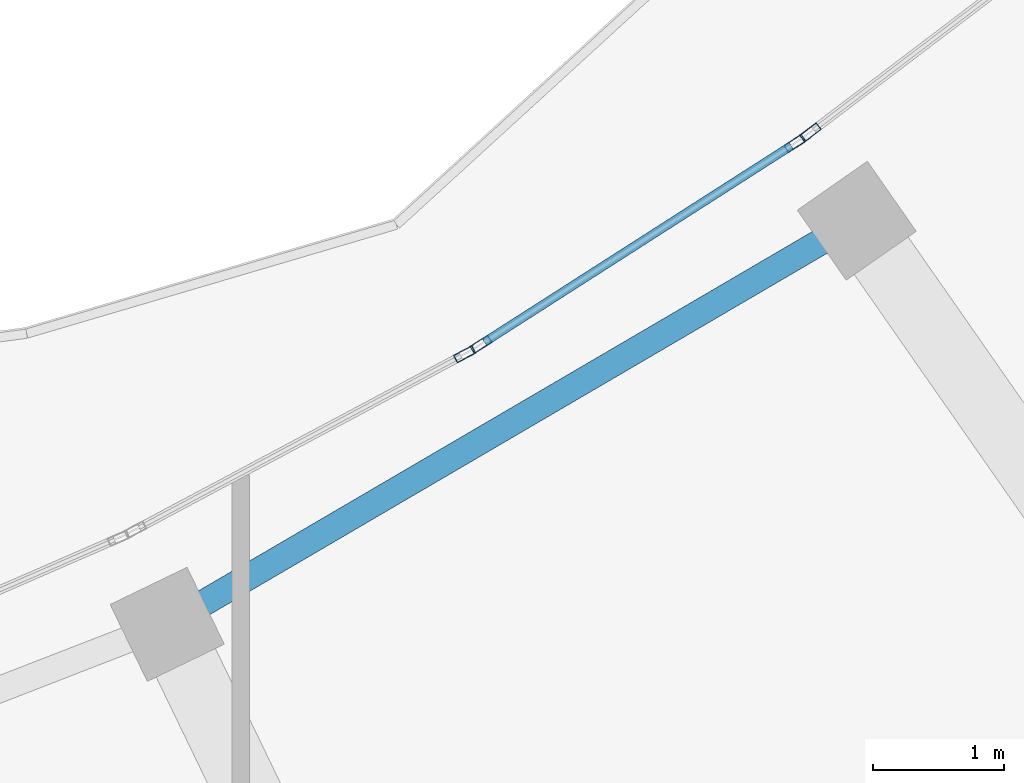
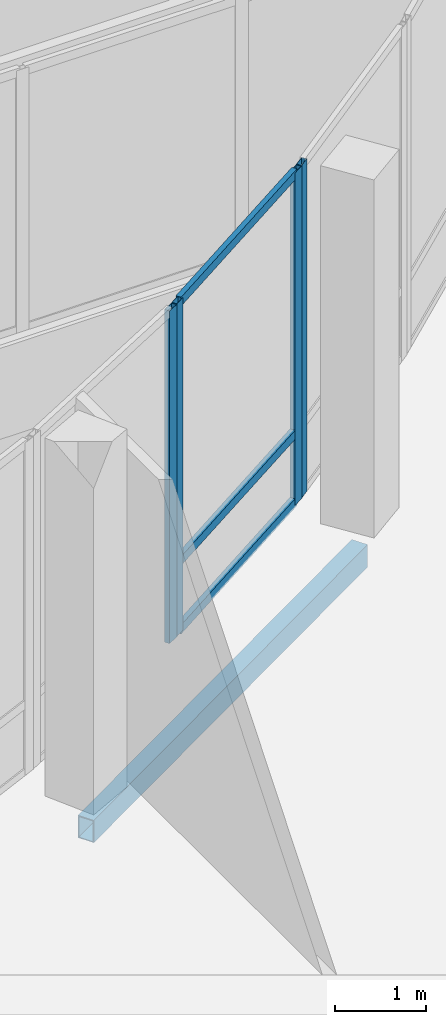
# One storey, part 36 of 155: 7 members, 1 beam, 3 elements without a shape of their own.
"""IFC4 building model written with IfcOpenShell, lengths in metres."""

import ifcopenshell
import ifcopenshell.guid

model = None  # the IFC model being written
_history = None  # IfcOwnerHistory: only IFC2X3 demands one
_inside = {}  # id of a spatial element -> (the spatial element, [elements in it])
_under = {}  # id of a project, library or spatial element -> (it, [spatial elements below it])
_declared = {}  # id of a project -> (the project, [libraries it declares])
_typed = {}  # id of a type object -> (the type object, [elements of that type])
_made_of = {}  # id of a material, layer set ... -> (it, [elements and type objects made of it])


def new_model(schema):
    """Start an empty IFC model of exactly this schema.

    Asked for "IFC4X3", IfcOpenShell would pick the latest addendum, in which some entities
    have other attributes; the version numbers below select the first issue.
    IFC2X3 requires an IfcOwnerHistory on every rooted entity: one is made here for all.
    """
    global model, _history
    if schema == "IFC4X3":
        model = ifcopenshell.file(schema_version=(4, 3, 0, 0))
    else:
        model = ifcopenshell.file(schema=schema)
    _inside.clear()
    _under.clear()
    _declared.clear()
    _typed.clear()
    _made_of.clear()
    _history = None
    if model.schema == "IFC2X3":
        org = make("IfcOrganization", Name="unknown")
        user = make(
            "IfcPersonAndOrganization",
            ThePerson=make("IfcPerson", FamilyName="unknown"),
            TheOrganization=org,
        )
        app = make(
            "IfcApplication",
            ApplicationDeveloper=org,
            Version="unknown",
            ApplicationFullName="unknown",
            ApplicationIdentifier="unknown",
        )
        _history = make(
            "IfcOwnerHistory",
            OwningUser=user,
            OwningApplication=app,
            ChangeAction="ADDED",
            CreationDate=0,
        )
    return model


def make(cls, **values):
    """One entity of the class cls with the attributes given. An attribute that is None is left unset."""
    return model.create_entity(
        cls, **{name: value for name, value in values.items() if value is not None}
    )


def rooted(cls, **values):
    """An entity with a GlobalId (a new one), such as an element, a storey or a relation."""
    return make(cls, GlobalId=ifcopenshell.guid.new(), OwnerHistory=_history, **values)


def si_unit(unit_type, name, prefix=None):
    """IfcSIUnit, for example si_unit("LENGTHUNIT", "METRE", prefix="MILLI")."""
    return make("IfcSIUnit", UnitType=unit_type, Prefix=prefix, Name=name)


def assignment(units):
    """IfcUnitAssignment: the units of a project."""
    return None if units is None else make("IfcUnitAssignment", Units=units)


def point(xyz):
    """IfcCartesianPoint."""
    return None if xyz is None else make("IfcCartesianPoint", Coordinates=xyz)


def direction(xyz):
    """IfcDirection."""
    return None if xyz is None else make("IfcDirection", DirectionRatios=xyz)


def frame(location, z_axis=None, x_axis=None):
    """IfcAxis2Placement3D, a coordinate frame: its origin and axes. An axis left out is left unset."""
    return make(
        "IfcAxis2Placement3D",
        Location=point(location),
        Axis=direction(z_axis),
        RefDirection=direction(x_axis),
    )


def frame_2d(location, x_axis=None):
    """IfcAxis2Placement2D, a coordinate frame in the plane: its origin and x axis."""
    return make(
        "IfcAxis2Placement2D", Location=point(location), RefDirection=direction(x_axis)
    )


def origin():
    """The frame at (0, 0, 0) with its axes left unset."""
    return frame((0.0, 0.0, 0.0))


def origin_2d():
    """The frame at (0, 0) in the plane with its x axis left unset."""
    return frame_2d((0.0, 0.0))


def place(relative_to, where):
    """IfcLocalPlacement: puts the frame where relative to a parent placement (None: the world)."""
    return make(
        "IfcLocalPlacement", PlacementRelTo=relative_to, RelativePlacement=where
    )


def context(
    kind, dimensions, precision=None, world=None, true_north=None, identifier=None
):
    """IfcGeometricRepresentationContext, for example the 3D "Model" context."""
    return make(
        "IfcGeometricRepresentationContext",
        ContextIdentifier=identifier,
        ContextType=kind,
        CoordinateSpaceDimension=dimensions,
        Precision=precision,
        WorldCoordinateSystem=world,
        TrueNorth=true_north,
    )


def subcontext(parent, identifier, kind, view, scale=None):
    """IfcGeometricRepresentationSubContext, for example "Body" below "Model"."""
    return make(
        "IfcGeometricRepresentationSubContext",
        ContextIdentifier=identifier,
        ContextType=kind,
        ParentContext=parent,
        TargetScale=scale,
        TargetView=view,
    )


def project(units=None, contexts=None):
    """IfcProject with its units and contexts."""
    return rooted(
        "IfcProject",
        Name="project",
        RepresentationContexts=contexts,
        UnitsInContext=assignment(units),
    )


def spatial(cls, under=None, at=None, **own):
    """A site, building, storey or space (cls), placed at a placement, below another one or the project."""
    s = rooted(cls, ObjectPlacement=at, **own)
    if under is not None:
        _under.setdefault(under.id(), (under, []))[1].append(s)
    return s


def profile(cls, at=None, kind="AREA", **sizes):
    """A parametric profile (cls). Its sizes go by their IFC names, for example OverallWidth=200.0."""
    return make(cls, ProfileType=kind, Position=at, **sizes)


def hollow_rectangle(**sizes):
    """IfcRectangleHollowProfileDef."""
    return profile("IfcRectangleHollowProfileDef", **sizes)


def extrude(swept, where, along, depth):
    """IfcExtrudedAreaSolid: the profile swept, set in the frame where, extruded along a direction by depth."""
    return make(
        "IfcExtrudedAreaSolid",
        SweptArea=swept,
        Position=where,
        ExtrudedDirection=direction(along),
        Depth=depth,
    )


def shape(context_of_items, identifier, shape_type, items):
    """IfcShapeRepresentation: the items that make up one representation, for example the "Body"."""
    return make(
        "IfcShapeRepresentation",
        ContextOfItems=context_of_items,
        RepresentationIdentifier=identifier,
        RepresentationType=shape_type,
        Items=items,
    )


def material(Name=None, Category=None):
    """IfcMaterial."""
    return make("IfcMaterial", Name=Name, Category=Category)


def material_profile(
    of_material, cross_section, Name=None, Category=None, Priority=None
):
    """IfcMaterialProfile: a cross section and its material."""
    return make(
        "IfcMaterialProfile",
        Name=Name,
        Material=of_material,
        Profile=cross_section,
        Priority=Priority,
        Category=Category,
    )


def profile_set(profiles, Name=None, composite=None):
    """IfcMaterialProfileSet."""
    return make(
        "IfcMaterialProfileSet",
        Name=Name,
        MaterialProfiles=profiles,
        CompositeProfile=composite,
    )


def made_of(thing, what):
    """Note that an element or type object is made of a material, layer set ...; save() writes the relation."""
    if what is not None:
        _made_of.setdefault(what.id(), (what, []))[1].append(thing)
    return thing


def type_object(cls, material=None, **own):
    """A type object (cls), such as IfcWallType, which elements share."""
    return made_of(rooted(cls, **own), material)


def element(
    cls,
    number,
    at=None,
    inside=None,
    cuts=None,
    type_object=None,
    material=None,
    context=None,
    identifier="Body",
    shape_type=None,
    held_by="IfcProductDefinitionShape",
    body=None,
    shapes=None,
    **own,
):
    """One element of the class cls, such as IfcWall. Its Tag is "e" and its number.

    at: its placement. inside: the storey or other place that contains it. cuts: it is an
    opening in that element (IfcRelVoidsElement). A single representation is given by context,
    identifier, shape_type and body (its items); several are given by shapes. held_by: the class
    of the entity that holds the representations. save() writes the other relations.
    """
    e = rooted(cls, Tag="e%d" % number, ObjectPlacement=at, **own)
    if body is not None:
        shapes = [shape(context, identifier, shape_type, body)]
    if shapes is not None:
        e.Representation = make(held_by, Representations=shapes)
    if inside is not None:
        _inside.setdefault(inside.id(), (inside, []))[1].append(e)
    if cuts is not None:
        rooted(
            "IfcRelVoidsElement", RelatingBuildingElement=cuts, RelatedOpeningElement=e
        )
    if type_object is not None:
        _typed.setdefault(type_object.id(), (type_object, []))[1].append(e)
    return made_of(e, material)


def aggregate(whole, parts):
    """IfcRelAggregates: a whole, such as a stair, and the parts it consists of."""
    return rooted("IfcRelAggregates", RelatingObject=whole, RelatedObjects=parts)


def save(model, path):
    """Write the relations noted so far, then the file.

    IfcRelAggregates (storeys below a building ...), IfcRelContainedInSpatialStructure (elements
    in a storey), IfcRelDefinesByType, IfcRelAssociatesMaterial and IfcRelDeclares: one each for
    every whole, place, type object, material and project.
    """
    for whole, parts in _under.values():
        aggregate(whole, parts)
    for where, things in _inside.values():
        rooted(
            "IfcRelContainedInSpatialStructure",
            RelatedElements=things,
            RelatingStructure=where,
        )
    for kind, things in _typed.values():
        rooted("IfcRelDefinesByType", RelatedObjects=things, RelatingType=kind)
    for what, things in _made_of.values():
        rooted("IfcRelAssociatesMaterial", RelatedObjects=things, RelatingMaterial=what)
    for by, libraries in _declared.values():
        rooted("IfcRelDeclares", RelatingContext=by, RelatedDefinitions=libraries)
    model.write(path)


model = new_model("IFC4")

# Units and contexts
model_context = context("Model", 3, precision=1e-05, world=origin(), true_north=direction((0.0, 1.0)))
body_context = subcontext(model_context, "Body", "Model", "MODEL_VIEW")
ifc_project = project(units=[si_unit("LENGTHUNIT", "METRE"), si_unit("AREAUNIT", "SQUARE_METRE"), si_unit("VOLUMEUNIT", "CUBIC_METRE"), si_unit("PLANEANGLEUNIT", "RADIAN"), si_unit("MASSUNIT", "GRAM", prefix="KILO")], contexts=[model_context])

# Site, building, storey
site_placement = place(None, origin())
site = spatial("IfcSite", under=ifc_project, at=site_placement, CompositionType="ELEMENT")
building_placement = place(site_placement, origin())
building = spatial("IfcBuilding", under=site, at=building_placement, Name="Selatvlak General Hospital", CompositionType="ELEMENT")
storey_placement = place(building_placement, frame((0.0, 0.0, 10.199951171875)))
storey = spatial("IfcBuildingStorey", under=building, at=storey_placement, Name="L02", CompositionType="ELEMENT", Elevation=10.199951171875)

# Beam
ifc_material_1 = material(Name="Steel S355", Category="steel")
ifc_material_profile_1 = material_profile(ifc_material_1, hollow_rectangle(XDim=0.199951171875, YDim=0.300048828125, WallThickness=0.011962890625, at=origin_2d()), Name="RHS 300x200x12")
ifc_profile_set_1 = profile_set([ifc_material_profile_1], Name="Steel S355")
beam_type = type_object("IfcBeamType", Name="BM-SP3", PredefinedType="SPANDREL", material=ifc_profile_set_1)
beam_placement = place(storey_placement, frame((72.639892578125, 45.06005859375, -0.5048828125), z_axis=(0.863043931414, 0.505128867172, 0.0), x_axis=(-0.505128867172, 0.863043931414, 0.0)))
element("IfcBeam", 1, at=beam_placement, inside=storey, type_object=beam_type, Name="Beam BMR-L02-1130", PredefinedType="SPANDREL", context=body_context, shape_type="SweptSolid", body=[
    extrude(hollow_rectangle(XDim=0.199951171875, YDim=0.300048828125, WallThickness=0.011962890625, at=origin_2d()), origin(), (0.0, 0.0, 1.0), 6.079833984375),
])

# Curtain wall, member
ifc_material_2 = material(Name="Solar-control Low-E double glazing", Category="glass")
curtain_wall_type_1 = type_object("IfcCurtainWallType", Name="CW-CW-01", PredefinedType="USERDEFINED", material=ifc_material_2)
curtain_wall_1_placement = place(storey_placement, origin())
curtain_wall_1 = element("IfcCurtainWall", 2, at=curtain_wall_1_placement, inside=storey, type_object=curtain_wall_type_1, Name="Glazed facade curtain wall CW-L02-0335", ObjectType="UNITISED CURTAIN WALL", PredefinedType="USERDEFINED")
ifc_material_3 = material(Name="Dark anodised aluminium mullion", Category="aluminium")
ifc_material_profile_2 = material_profile(ifc_material_3, hollow_rectangle(XDim=0.06494140625, YDim=0.159912109375, WallThickness=0.00390625, at=origin_2d()), Name="AL-MUL 65x160x4")
ifc_profile_set_2 = profile_set([ifc_material_profile_2], Name="Dark anodised aluminium mullion")
member_type_1 = type_object("IfcMemberType", Name="CWM-01", PredefinedType="MULLION", material=ifc_profile_set_2)
member_1_placement = place(storey_placement, frame((74.9033203125, 47.11572265625, 0.0), z_axis=(0.0, 0.0, 1.0), x_axis=(-0.470338020096, 0.88248634372, 0.0)))
member_1 = element("IfcMember", 3, at=member_1_placement, type_object=member_type_1, Name="CW-01 mullion 2", PredefinedType="MULLION", context=body_context, shape_type="SweptSolid", body=[
    extrude(hollow_rectangle(XDim=0.06494140625, YDim=0.159912109375, WallThickness=0.00390625, at=origin_2d()), origin(), (0.0, 0.0, 1.0), 4.4599609375),
])
aggregate(curtain_wall_1, [member_1])

# Curtain wall, members
curtain_wall_type_2 = type_object("IfcCurtainWallType", Name="CW-CW-02", PredefinedType="USERDEFINED", material=ifc_material_2)
curtain_wall_2_placement = place(storey_placement, origin())
curtain_wall_2 = element("IfcCurtainWall", 4, at=curtain_wall_2_placement, inside=storey, type_object=curtain_wall_type_2, Name="Glazed facade curtain wall CW-L02-0336", ObjectType="UNITISED CURTAIN WALL", PredefinedType="USERDEFINED")
member_2_placement = place(storey_placement, frame((75.02734375, 47.1904296875, 0.0), z_axis=(0.0, 0.0, 1.0), x_axis=(-0.539171082287, 0.842196262178, 0.0)))
member_2 = element("IfcMember", 5, at=member_2_placement, type_object=member_type_1, Name="CW-02 mullion 1", PredefinedType="MULLION", context=body_context, shape_type="SweptSolid", body=[
    extrude(hollow_rectangle(XDim=0.06494140625, YDim=0.159912109375, WallThickness=0.00390625, at=origin_2d()), origin(), (0.0, 0.0, 1.0), 4.4599609375),
])
member_3_placement = place(storey_placement, frame((77.41552734375, 48.719482421875, 0.0), z_axis=(0.0, 0.0, 1.0), x_axis=(-0.539171082287, 0.842196262178, 0.0)))
member_3 = element("IfcMember", 6, at=member_3_placement, type_object=member_type_1, Name="CW-02 mullion 2", PredefinedType="MULLION", context=body_context, shape_type="SweptSolid", body=[
    extrude(hollow_rectangle(XDim=0.06494140625, YDim=0.159912109375, WallThickness=0.00390625, at=origin_2d()), origin(), (0.0, 0.0, 1.0), 4.4599609375),
])

# Curtain wall, member
curtain_wall_3_placement = place(storey_placement, origin())
curtain_wall_3 = element("IfcCurtainWall", 7, at=curtain_wall_3_placement, inside=storey, type_object=curtain_wall_type_1, Name="Glazed facade curtain wall CW-L02-0337", ObjectType="UNITISED CURTAIN WALL", PredefinedType="USERDEFINED")
member_4_placement = place(storey_placement, frame((77.533935546875, 48.8037109375, 0.0), z_axis=(0.0, 0.0, 1.0), x_axis=(-0.604514782215, 0.796593922952, 0.0)))
member_4 = element("IfcMember", 8, at=member_4_placement, type_object=member_type_1, Name="CW-01 mullion 1", PredefinedType="MULLION", context=body_context, shape_type="SweptSolid", body=[
    extrude(hollow_rectangle(XDim=0.06494140625, YDim=0.159912109375, WallThickness=0.00390625, at=origin_2d()), origin(), (0.0, 0.0, 1.0), 4.4599609375),
])
aggregate(curtain_wall_3, [member_4])

# Member
ifc_material_profile_3 = material_profile(ifc_material_3, hollow_rectangle(XDim=0.06494140625, YDim=0.1201171875, WallThickness=0.00390625, at=origin_2d()), Name="AL-TRN 65x120x4")
ifc_profile_set_3 = profile_set([ifc_material_profile_3], Name="Dark anodised aluminium mullion")
member_type_2 = type_object("IfcMemberType", Name="CWT-01", PredefinedType="USERDEFINED", material=ifc_profile_set_3)
member_5_placement = place(storey_placement, frame((75.0546875, 47.2080078125, 0.032470703125), z_axis=(0.842196180284, 0.539171210207, 0.0), x_axis=(-0.539171210207, 0.842196180284, 0.0)))
member_5 = element("IfcMember", 9, at=member_5_placement, type_object=member_type_2, Name="CW-02 transom 1.1", ObjectType="TRANSOM", PredefinedType="USERDEFINED", context=body_context, shape_type="SweptSolid", body=[
    extrude(hollow_rectangle(XDim=0.06494140625, YDim=0.1201171875, WallThickness=0.00390625, at=origin_2d()), origin(), (0.0, 0.0, 1.0), 2.770751953125),
])

member_6_placement = place(storey_placement, frame((75.0546875, 47.2080078125, 0.949951171875), z_axis=(0.842196180284, 0.539171210207, 0.0), x_axis=(-0.539171210207, 0.842196180284, 0.0)))
member_6 = element("IfcMember", 10, at=member_6_placement, type_object=member_type_2, Name="CW-02 transom 1.2", ObjectType="TRANSOM", PredefinedType="USERDEFINED", context=body_context, shape_type="SweptSolid", body=[
    extrude(hollow_rectangle(XDim=0.06494140625, YDim=0.1201171875, WallThickness=0.00390625, at=origin_2d()), origin(), (0.0, 0.0, 1.0), 2.770751953125),
])

member_7_placement = place(storey_placement, frame((75.0546875, 47.2080078125, 4.427490234375), z_axis=(0.842196180284, 0.539171210207, 0.0), x_axis=(-0.539171210207, 0.842196180284, 0.0)))
member_7 = element("IfcMember", 11, at=member_7_placement, type_object=member_type_2, Name="CW-02 transom 1.3", ObjectType="TRANSOM", PredefinedType="USERDEFINED", context=body_context, shape_type="SweptSolid", body=[
    extrude(hollow_rectangle(XDim=0.06494140625, YDim=0.1201171875, WallThickness=0.00390625, at=origin_2d()), origin(), (0.0, 0.0, 1.0), 2.770751953125),
])

aggregate(curtain_wall_2, [member_2, member_3, member_5, member_6, member_7])

save(model, "model.ifc")
